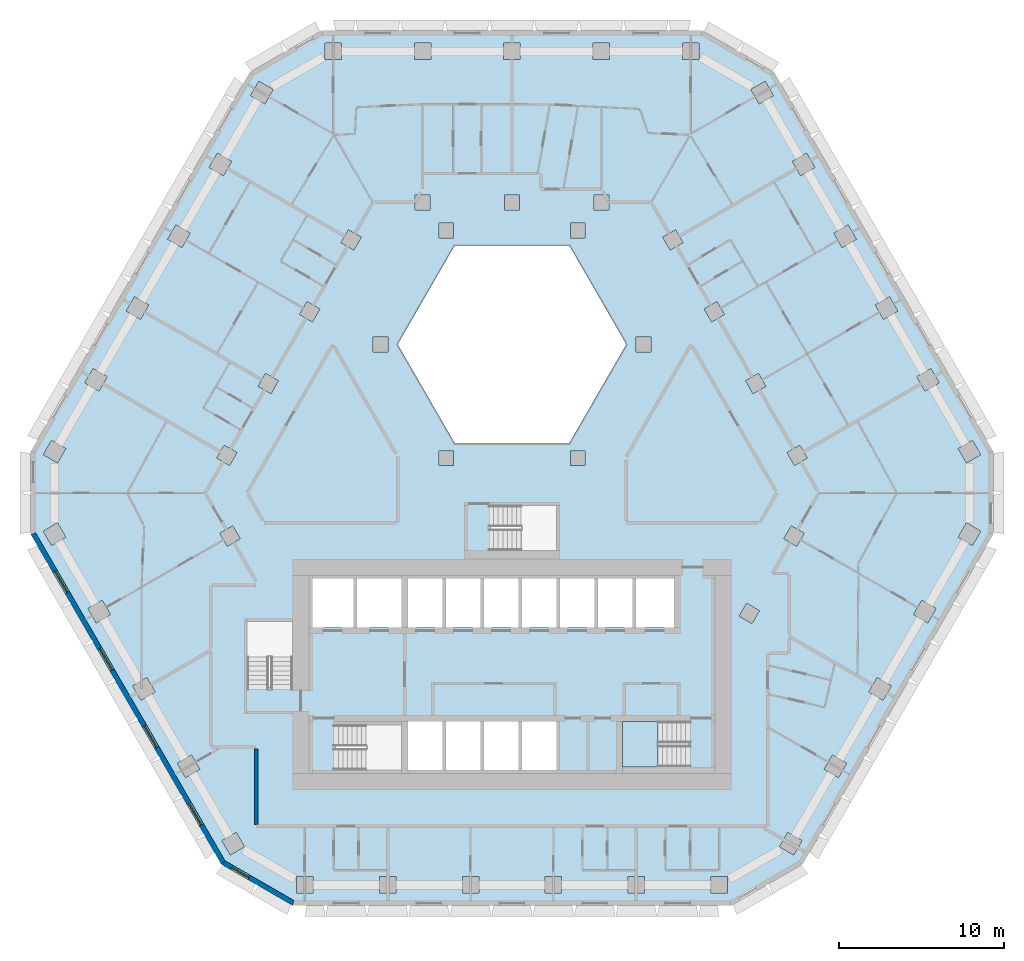
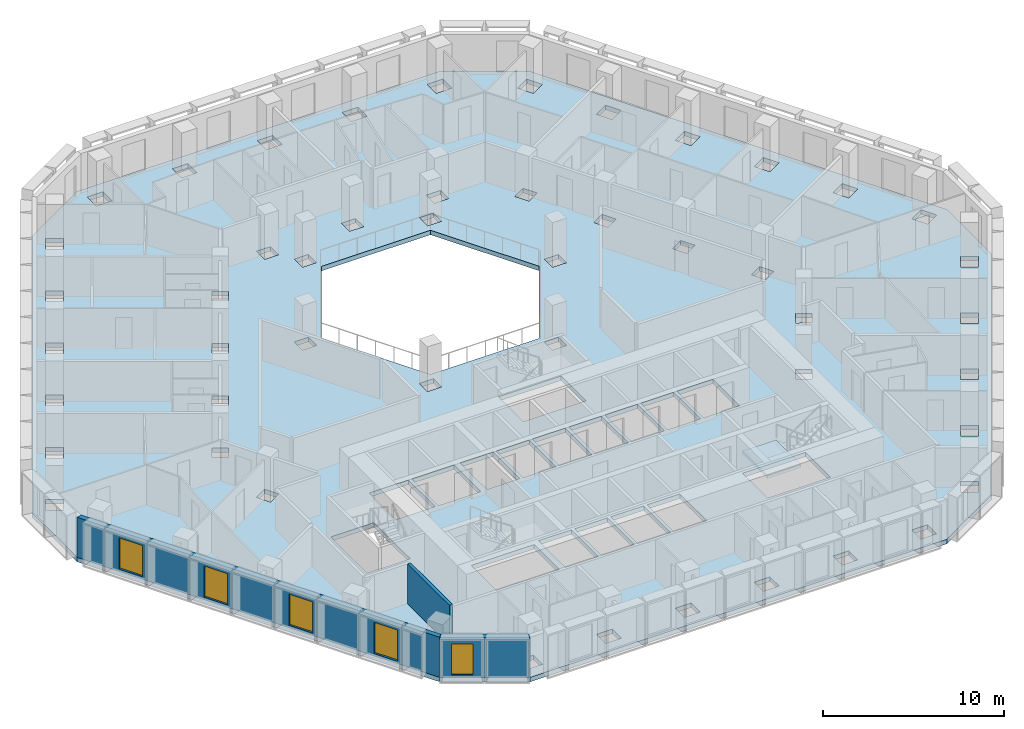
# One storey, part 2 of 15: 5 windows, 3 walls, 2 slabs, 5 openings, 1 element without a shape of its own.
"""IFC4 building model written with IfcOpenShell, lengths in metres."""

from ifc_helpers import new_model, si_unit, direction, frame, frame_2d, origin, place, context, subcontext, project, spatial, polyline, rectangle, outline, extrude, material, layer, layer_set, type_object, element, fill, aggregate, save


model = new_model("IFC4")

# Units and contexts
model_context = context("Model", 3, precision=1e-05, world=origin(), true_north=direction((0.0, 1.0)))
body_context = subcontext(model_context, "Body", "Model", "MODEL_VIEW")
ifc_project = project(units=[si_unit("LENGTHUNIT", "METRE"), si_unit("AREAUNIT", "SQUARE_METRE"), si_unit("VOLUMEUNIT", "CUBIC_METRE"), si_unit("PLANEANGLEUNIT", "RADIAN"), si_unit("MASSUNIT", "GRAM", prefix="KILO")], contexts=[model_context])

# Site, building, storey
site_placement = place(None, origin())
site = spatial("IfcSite", under=ifc_project, at=site_placement, CompositionType="ELEMENT")
building_placement = place(site_placement, origin())
building = spatial("IfcBuilding", under=site, at=building_placement, Name="Beryl Residences", CompositionType="ELEMENT")
storey_placement = place(building_placement, frame((0.0, 0.0, 84.0)))
storey = spatial("IfcBuildingStorey", under=building, at=storey_placement, Name="L25", CompositionType="ELEMENT", Elevation=84.0)

# Slab
ifc_material_1 = material(Name="Concrete C40/50", Category="concrete")
ifc_layer_1 = layer(ifc_material_1, 0.300048828125)
ifc_layer_set_1 = layer_set([ifc_layer_1], Name="SL7 PT floor slab 300 mm C40/50")
slab_type_1 = type_object("IfcSlabType", Name="SL7 PT floor slab 300 mm C40/50", PredefinedType="FLOOR", material=ifc_layer_set_1)
slab_1_placement = place(storey_placement, frame((0.0, 0.0, -0.300048828125)))
element("IfcSlab", 1, at=slab_1_placement, inside=storey, type_object=slab_type_1, Name="L25 slab 1", PredefinedType="FLOOR", context=body_context, shape_type="SweptSolid", body=[
    extrude(outline(polyline([(29.156982421875, -3.5), (17.60888671875, -23.5), (13.279052734375, -26.0), (-13.279052734375, -26.0), (-17.60888671875, -23.5), (-29.156982421875, -3.5), (-29.156982421875, 1.5), (-15.876953125, 24.5), (-11.547119140625, 27.0), (11.547119140625, 27.0), (15.876953125, 24.5), (29.156982421875, 1.5), (29.156982421875, -3.5)]), holes=[polyline([(28.39697265625, 1.31591796875), (27.89697265625, 2.181884765625), (27.031005859375, 1.681884765625), (27.531005859375, 0.81591796875), (28.39697265625, 1.31591796875)]), polyline([(28.39697265625, -3.31591796875), (27.531005859375, -2.81591796875), (27.031005859375, -3.681884765625), (27.89697265625, -4.181884765625), (28.39697265625, -3.31591796875)]), polyline([(25.385009765625, 6.532958984375), (24.51904296875, 6.032958984375), (25.01904296875, 5.1669921875), (25.885009765625, 5.6669921875), (25.385009765625, 6.532958984375)]), polyline([(25.68994140625, -8.00390625), (24.823974609375, -7.50390625), (24.323974609375, -8.3701171875), (25.18994140625, -8.8701171875), (25.68994140625, -8.00390625)]), polyline([(22.873046875, 10.883056640625), (22.007080078125, 10.383056640625), (22.507080078125, 9.51708984375), (23.373046875, 10.01708984375), (22.873046875, 10.883056640625)]), polyline([(22.116943359375, -12.19189453125), (21.616943359375, -13.05810546875), (22.48291015625, -13.55810546875), (22.98291015625, -12.69189453125), (22.116943359375, -12.19189453125)]), polyline([(20.362060546875, 15.23291015625), (19.49609375, 14.73291015625), (19.99609375, 13.866943359375), (20.862060546875, 14.366943359375), (20.362060546875, 15.23291015625)]), polyline([(19.777099609375, -18.24609375), (20.277099609375, -17.3798828125), (19.410888671875, -16.8798828125), (18.910888671875, -17.74609375), (19.777099609375, -18.24609375)]), polyline([(17.85009765625, 19.5830078125), (16.98388671875, 19.0830078125), (17.48388671875, 18.217041015625), (18.35009765625, 18.717041015625), (17.85009765625, 19.5830078125)]), polyline([(17.443115234375, 1.888916015625), (16.6630859375, 1.43896484375), (17.113037109375, 0.658935546875), (17.89306640625, 1.10888671875), (17.443115234375, 1.888916015625)]), polyline([(17.697998046875, -3.447021484375), (16.91796875, -2.9970703125), (16.468017578125, -3.777099609375), (17.248046875, -4.22705078125), (17.697998046875, -3.447021484375)]), polyline([(17.570068359375, -22.068115234375), (16.7041015625, -21.568115234375), (16.2041015625, -22.43408203125), (17.070068359375, -22.93408203125), (17.570068359375, -22.068115234375)]), polyline([(15.839111328125, 23.06689453125), (15.339111328125, 23.93310546875), (14.472900390625, 23.43310546875), (14.972900390625, 22.56689453125), (15.839111328125, 23.06689453125)]), polyline([(14.930908203125, 6.239990234375), (14.15087890625, 5.7900390625), (14.60107421875, 5.010009765625), (15.381103515625, 5.4599609375), (14.930908203125, 6.239990234375)]), polyline([(14.990966796875, -8.135009765625), (14.2109375, -7.68505859375), (13.760986328125, -8.465087890625), (14.541015625, -8.9150390625), (14.990966796875, -8.135009765625)]), polyline([(13.05810546875, -25.25), (13.05810546875, -24.25), (12.05810546875, -24.25), (12.05810546875, -25.25), (13.05810546875, -25.25)]), polyline([(12.419921875, 10.590087890625), (11.639892578125, 10.139892578125), (12.090087890625, 9.360107421875), (12.8701171875, 9.81005859375), (12.419921875, 10.590087890625)]), polyline([(11.324951171875, 26.25), (10.324951171875, 26.25), (10.324951171875, 25.25), (11.324951171875, 25.25), (11.324951171875, 26.25)]), polyline([(10.699951171875, -14.85009765625), (6.699951171875, -14.85009765625), (6.699951171875, -17.60009765625), (10.699951171875, -17.60009765625), (10.699951171875, -14.85009765625)]), polyline([(9.1279296875, 14.489990234375), (9.577880859375, 13.7099609375), (10.35791015625, 14.159912109375), (9.907958984375, 14.93994140625), (9.1279296875, 14.489990234375)]), polyline([(9.800048828125, -6.199951171875), (7.5, -6.199951171875), (7.5, -9.14990234375), (9.800048828125, -9.14990234375), (9.800048828125, -6.199951171875)]), polyline([(8.4169921875, 7.550048828125), (8.4169921875, 8.449951171875), (7.51708984375, 8.449951171875), (7.51708984375, 7.550048828125), (8.4169921875, 7.550048828125)]), polyline([(8.034912109375, -25.25), (8.034912109375, -24.25), (7.034912109375, -24.25), (7.034912109375, -25.25), (8.034912109375, -25.25)]), polyline([(5.199951171875, -6.199951171875), (5.199951171875, -9.14990234375), (7.300048828125, -9.14990234375), (7.300048828125, -6.199951171875), (5.199951171875, -6.199951171875)]), polyline([(3.464111328125, 14.0), (-3.464111328125, 14.0), (-6.92822265625, 8.0), (-3.464111328125, 2.0), (3.464111328125, 2.0), (6.92822265625, 8.0), (3.464111328125, 14.0)]), polyline([(4.912109375, 26.25), (4.912109375, 25.25), (5.912109375, 25.25), (5.912109375, 26.25), (4.912109375, 26.25)]), polyline([(4.9619140625, 17.050048828125), (4.9619140625, 16.14990234375), (5.862060546875, 16.14990234375), (5.862060546875, 17.050048828125), (4.9619140625, 17.050048828125)]), polyline([(2.89990234375, -9.14990234375), (5.0, -9.14990234375), (5.0, -6.199951171875), (2.89990234375, -6.199951171875), (2.89990234375, -9.14990234375)]), polyline([(4.43408203125, 14.449951171875), (4.43408203125, 15.35009765625), (3.533935546875, 15.35009765625), (3.533935546875, 14.449951171875), (4.43408203125, 14.449951171875)]), polyline([(4.43408203125, 0.64990234375), (4.43408203125, 1.550048828125), (3.533935546875, 1.550048828125), (3.533935546875, 0.64990234375), (4.43408203125, 0.64990234375)]), polyline([(2.011962890625, -25.25), (3.011962890625, -25.25), (3.011962890625, -24.25), (2.011962890625, -24.25), (2.011962890625, -25.25)]), polyline([(0.60009765625, -6.199951171875), (0.60009765625, -9.14990234375), (2.699951171875, -9.14990234375), (2.699951171875, -6.199951171875), (0.60009765625, -6.199951171875)]), polyline([(0.60009765625, -17.800048828125), (2.699951171875, -17.800048828125), (2.699951171875, -14.85009765625), (0.60009765625, -14.85009765625), (0.60009765625, -17.800048828125)]), polyline([(-1.300048828125, -1.75), (-1.300048828125, -4.5), (2.699951171875, -4.5), (2.699951171875, -1.75), (-1.300048828125, -1.75)]), polyline([(-0.5009765625, 25.25), (0.4990234375, 25.25), (0.4990234375, 26.25), (-0.5009765625, 26.25), (-0.5009765625, 25.25)]), polyline([(-0.450927734375, 17.050048828125), (-0.450927734375, 16.14990234375), (0.448974609375, 16.14990234375), (0.448974609375, 17.050048828125), (-0.450927734375, 17.050048828125)]), polyline([(-1.699951171875, -9.14990234375), (0.39990234375, -9.14990234375), (0.39990234375, -6.199951171875), (-1.699951171875, -6.199951171875), (-1.699951171875, -9.14990234375)]), polyline([(-1.699951171875, -17.800048828125), (0.39990234375, -17.800048828125), (0.39990234375, -14.85009765625), (-1.699951171875, -14.85009765625), (-1.699951171875, -17.800048828125)]), polyline([(-4.0, -9.14990234375), (-1.89990234375, -9.14990234375), (-1.89990234375, -6.199951171875), (-4.0, -6.199951171875), (-4.0, -9.14990234375)]), polyline([(-4.0, -17.800048828125), (-1.89990234375, -17.800048828125), (-1.89990234375, -14.85009765625), (-4.0, -14.85009765625), (-4.0, -17.800048828125)]), polyline([(-2.010986328125, -25.25), (-2.010986328125, -24.25), (-3.010986328125, -24.25), (-3.010986328125, -25.25), (-2.010986328125, -25.25)]), polyline([(-3.533935546875, 14.449951171875), (-3.533935546875, 15.35009765625), (-4.43408203125, 15.35009765625), (-4.43408203125, 14.449951171875), (-3.533935546875, 14.449951171875)]), polyline([(-3.533935546875, 0.64990234375), (-3.533935546875, 1.550048828125), (-4.43408203125, 1.550048828125), (-4.43408203125, 0.64990234375), (-3.533935546875, 0.64990234375)]), polyline([(-6.300048828125, -17.800048828125), (-4.199951171875, -17.800048828125), (-4.199951171875, -14.85009765625), (-6.300048828125, -14.85009765625), (-6.300048828125, -17.800048828125)]), polyline([(-6.300048828125, -9.14990234375), (-4.199951171875, -9.14990234375), (-4.199951171875, -6.199951171875), (-6.300048828125, -6.199951171875), (-6.300048828125, -9.14990234375)]), polyline([(-5.9140625, 26.25), (-5.9140625, 25.25), (-4.9140625, 25.25), (-4.9140625, 26.25), (-5.9140625, 26.25)]), polyline([(-5.864013671875, 16.14990234375), (-4.964111328125, 16.14990234375), (-4.964111328125, 17.050048828125), (-5.864013671875, 17.050048828125), (-5.864013671875, 16.14990234375)]), polyline([(-6.699951171875, -17.800048828125), (-6.699951171875, -15.050048828125), (-10.699951171875, -15.050048828125), (-10.699951171875, -17.800048828125), (-6.699951171875, -17.800048828125)]), polyline([(-9.39990234375, -9.14990234375), (-6.699951171875, -9.14990234375), (-6.699951171875, -6.199951171875), (-9.39990234375, -6.199951171875), (-9.39990234375, -9.14990234375)]), polyline([(-7.033935546875, -25.25), (-7.033935546875, -24.25), (-8.033935546875, -24.25), (-8.033935546875, -25.25), (-7.033935546875, -25.25)]), polyline([(-8.4169921875, 7.550048828125), (-7.51708984375, 7.550048828125), (-7.51708984375, 8.449951171875), (-8.4169921875, 8.449951171875), (-8.4169921875, 7.550048828125)]), polyline([(-9.577880859375, 13.7099609375), (-9.1279296875, 14.489990234375), (-9.907958984375, 14.93994140625), (-10.35791015625, 14.159912109375), (-9.577880859375, 13.7099609375)]), polyline([(-12.10009765625, -9.14990234375), (-9.60009765625, -9.14990234375), (-9.60009765625, -6.199951171875), (-12.10009765625, -6.199951171875), (-12.10009765625, -9.14990234375)]), polyline([(-11.326904296875, 26.25), (-11.326904296875, 25.25), (-10.326904296875, 25.25), (-10.326904296875, 26.25), (-11.326904296875, 26.25)]), polyline([(-12.868896484375, 9.81005859375), (-12.089111328125, 9.360107421875), (-11.638916015625, 10.139892578125), (-12.4189453125, 10.590087890625), (-12.868896484375, 9.81005859375)]), polyline([(-12.056884765625, -24.25), (-13.056884765625, -24.25), (-13.056884765625, -25.25), (-12.056884765625, -25.25), (-12.056884765625, -24.25)]), polyline([(-13.300048828125, -8.800048828125), (-16.050048828125, -8.800048828125), (-16.050048828125, -12.800048828125), (-13.300048828125, -12.800048828125), (-13.300048828125, -8.800048828125)]), polyline([(-15.381103515625, 5.4599609375), (-14.60107421875, 5.010009765625), (-14.15087890625, 5.7900390625), (-14.930908203125, 6.239990234375), (-15.381103515625, 5.4599609375)]), polyline([(-14.971923828125, 22.568115234375), (-14.471923828125, 23.43408203125), (-15.337890625, 23.93408203125), (-15.837890625, 23.068115234375), (-14.971923828125, 22.568115234375)]), polyline([(-17.070068359375, -22.93408203125), (-16.2041015625, -22.43408203125), (-16.7041015625, -21.568115234375), (-17.570068359375, -22.068115234375), (-17.070068359375, -22.93408203125)]), polyline([(-17.248046875, -4.22705078125), (-16.468017578125, -3.777099609375), (-16.91796875, -2.9970703125), (-17.697998046875, -3.447021484375), (-17.248046875, -4.22705078125)]), polyline([(-17.89208984375, 1.110107421875), (-17.112060546875, 0.659912109375), (-16.662109375, 1.43994140625), (-17.44189453125, 1.889892578125), (-17.89208984375, 1.110107421875)]), polyline([(-18.35009765625, 18.717041015625), (-17.48388671875, 18.217041015625), (-16.98388671875, 19.0830078125), (-17.85009765625, 19.5830078125), (-18.35009765625, 18.717041015625)]), polyline([(-19.777099609375, -18.24609375), (-18.910888671875, -17.74609375), (-19.410888671875, -16.8798828125), (-20.277099609375, -17.3798828125), (-19.777099609375, -18.24609375)]), polyline([(-20.861083984375, 14.366943359375), (-19.9951171875, 13.866943359375), (-19.4951171875, 14.73291015625), (-20.361083984375, 15.23291015625), (-20.861083984375, 14.366943359375)]), polyline([(-21.616943359375, -13.05810546875), (-22.116943359375, -12.19189453125), (-22.98291015625, -12.69189453125), (-22.48291015625, -13.55810546875), (-21.616943359375, -13.05810546875)]), polyline([(-23.373046875, 10.01708984375), (-22.507080078125, 9.51708984375), (-22.007080078125, 10.383056640625), (-22.873046875, 10.883056640625), (-23.373046875, 10.01708984375)]), polyline([(-25.18994140625, -8.8701171875), (-24.323974609375, -8.3701171875), (-24.823974609375, -7.50390625), (-25.68994140625, -8.00390625), (-25.18994140625, -8.8701171875)]), polyline([(-25.385009765625, 6.532958984375), (-25.885009765625, 5.6669921875), (-25.01904296875, 5.1669921875), (-24.51904296875, 6.032958984375), (-25.385009765625, 6.532958984375)]), polyline([(-28.39599609375, 1.31689453125), (-27.530029296875, 0.81689453125), (-27.030029296875, 1.68310546875), (-27.89599609375, 2.18310546875), (-28.39599609375, 1.31689453125)]), polyline([(-27.031005859375, -3.681884765625), (-27.531005859375, -2.81591796875), (-28.39697265625, -3.31591796875), (-27.89697265625, -4.181884765625), (-27.031005859375, -3.681884765625)])]), origin(), (0.0, 0.0, 1.0), 0.300048828125),
])

# Stair, slab
ifc_material_2 = material(Name="Concrete C40/50", Category="concrete")
stair_type = type_object("IfcStairType", Name="ST1 protected exit stair, half-turn, 1300 mm flights", PredefinedType="HALF_TURN_STAIR", material=ifc_material_2)
stair_placement = place(storey_placement, origin())
stair = element("IfcStair", 2, at=stair_placement, inside=storey, type_object=stair_type, Name="L25 PROTECTED EXIT STAIR ST-3", PredefinedType="HALF_TURN_STAIR")
ifc_material_3 = material(Name="Concrete C40/50", Category="concrete")
ifc_layer_2 = layer(ifc_material_3, 0.199951171875)
ifc_layer_set_2 = layer_set([ifc_layer_2], Name="SLD1 stair landing 200 mm")
slab_type_2 = type_object("IfcSlabType", Name="SLD1 stair landing 200 mm", PredefinedType="LANDING", material=ifc_layer_set_2)
slab_2_placement = place(storey_placement, frame((0.0, 0.0, 1.300048828125)))
slab_2 = element("IfcSlab", 3, at=slab_2_placement, type_object=slab_type_2, Name="ST-3 landing 1", PredefinedType="LANDING", context=body_context, shape_type="SweptSolid", body=[
    extrude(outline(polyline([(8.840087890625, -14.85009765625), (6.699951171875, -14.85009765625), (6.699951171875, -17.60009765625), (8.840087890625, -17.60009765625), (8.840087890625, -14.85009765625)])), origin(), (0.0, 0.0, 1.0), 0.199951171875),
])
aggregate(stair, [slab_2])

# Wall, openings, windows
ifc_material_4 = material(Name="Composite metal panel with mineral wool insulation")
ifc_layer_3 = layer(ifc_material_4, 0.300048828125)
ifc_layer_set_3 = layer_set([ifc_layer_3], Name="ES1 pale metal composite panel wall 300 mm")
wall_type_1 = type_object("IfcWallType", Name="ES1 pale metal composite panel wall 300 mm", PredefinedType="SOLIDWALL", material=ifc_layer_set_3)
wall_1_placement = place(storey_placement, frame((-29.027099609375, -3.425048828125, 0.0), z_axis=(0.0, 0.0, 1.0), x_axis=(0.500035407905, -0.866004960056, 0.0)))
wall_1 = element("IfcWall", 4, at=wall_1_placement, inside=storey, type_object=wall_type_1, Name="ES1 external wall L25 SW", PredefinedType="SOLIDWALL", context=body_context, shape_type="SweptSolid", body=[
    extrude(outline(polyline([(0.0, -0.14990234375), (23.094482421875, -0.14990234375), (23.01416015625, 0.14990234375), (0.080322265625, 0.14990234375), (0.0, -0.14990234375)])), origin(), (0.0, 0.0, 1.0), 2.699951171875),
])
opening_1_placement = place(wall_1_placement, frame((2.677001953125, 0.0, 0.14990234375)))
opening_1 = element("IfcOpeningElement", 5, at=opening_1_placement, cuts=wall_1, Name="Opening W1", PredefinedType="OPENING", context=body_context, shape_type="SweptSolid", body=[
    extrude(rectangle(XDim=1.5, YDim=2.10009765625, at=frame_2d((0.75, 1.050048828125))), frame((0.0, 0.159912109375, 0.0), z_axis=(0.0, -1.0, 0.0), x_axis=(1.0, 0.0, 0.0)), (0.0, 0.0, 1.0), 0.320068359375),
])
opening_2_placement = place(wall_1_placement, frame((8.091064453125, 0.0, 0.14990234375)))
opening_2 = element("IfcOpeningElement", 6, at=opening_2_placement, cuts=wall_1, Name="Opening W1", PredefinedType="OPENING", context=body_context, shape_type="SweptSolid", body=[
    extrude(rectangle(XDim=1.5, YDim=2.10009765625, at=frame_2d((0.75, 1.050048828125))), frame((0.0, 0.159912109375, 0.0), z_axis=(0.0, -1.0, 0.0), x_axis=(1.0, 0.0, 0.0)), (0.0, 0.0, 1.0), 0.320068359375),
])
opening_3_placement = place(wall_1_placement, frame((13.50390625, 0.0, 0.14990234375)))
opening_3 = element("IfcOpeningElement", 7, at=opening_3_placement, cuts=wall_1, Name="Opening W1", PredefinedType="OPENING", context=body_context, shape_type="SweptSolid", body=[
    extrude(rectangle(XDim=1.5, YDim=2.10009765625, at=frame_2d((0.75, 1.050048828125))), frame((0.0, 0.159912109375, 0.0), z_axis=(0.0, -1.0, 0.0), x_axis=(1.0, 0.0, 0.0)), (0.0, 0.0, 1.0), 0.320068359375),
])
opening_4_placement = place(wall_1_placement, frame((18.9169921875, 0.0, 0.14990234375)))
opening_4 = element("IfcOpeningElement", 8, at=opening_4_placement, cuts=wall_1, Name="Opening W1", PredefinedType="OPENING", context=body_context, shape_type="SweptSolid", body=[
    extrude(rectangle(XDim=1.5, YDim=2.10009765625, at=frame_2d((0.75, 1.050048828125))), frame((0.0, 0.159912109375, 0.0), z_axis=(0.0, -1.0, 0.0), x_axis=(1.0, 0.0, 0.0)), (0.0, 0.0, 1.0), 0.320068359375),
])
ifc_material_5 = material(Name="Aluminium and clear glass", Category="aluminium")
window_type_1 = type_object("IfcWindowType", Name="W1 cell window 1500 x 2100 mm", PartitioningType="SINGLE_PANEL", PredefinedType="WINDOW", material=ifc_material_5)
window_1_placement = place(opening_1_placement, origin())
window_1 = element("IfcWindow", 9, at=window_1_placement, inside=storey, type_object=window_type_1, Name="W1 window L25 SW 2", OverallHeight=2.10009765625, OverallWidth=1.5, PartitioningType="SINGLE_PANEL", PredefinedType="WINDOW", context=body_context, shape_type="SweptSolid", body=[
    extrude(rectangle(XDim=1.5, YDim=2.10009765625, at=frame_2d((0.75, 1.050048828125))), frame((0.0, 0.030029296875, 0.0), z_axis=(0.0, -1.0, 0.0), x_axis=(1.0, 0.0, 0.0)), (0.0, 0.0, 1.0), 0.06005859375),
])
fill(opening_1, window_1)
window_2_placement = place(opening_2_placement, origin())
window_2 = element("IfcWindow", 10, at=window_2_placement, inside=storey, type_object=window_type_1, Name="W1 window L25 SW 4", OverallHeight=2.10009765625, OverallWidth=1.5, PartitioningType="SINGLE_PANEL", PredefinedType="WINDOW", context=body_context, shape_type="SweptSolid", body=[
    extrude(rectangle(XDim=1.5, YDim=2.10009765625, at=frame_2d((0.75, 1.050048828125))), frame((0.0, 0.030029296875, 0.0), z_axis=(0.0, -1.0, 0.0), x_axis=(1.0, 0.0, 0.0)), (0.0, 0.0, 1.0), 0.06005859375),
])
fill(opening_2, window_2)
window_3_placement = place(opening_3_placement, origin())
window_3 = element("IfcWindow", 11, at=window_3_placement, inside=storey, type_object=window_type_1, Name="W1 window L25 SW 6", OverallHeight=2.10009765625, OverallWidth=1.5, PartitioningType="SINGLE_PANEL", PredefinedType="WINDOW", context=body_context, shape_type="SweptSolid", body=[
    extrude(rectangle(XDim=1.5, YDim=2.10009765625, at=frame_2d((0.75, 1.050048828125))), frame((0.0, 0.030029296875, 0.0), z_axis=(0.0, -1.0, 0.0), x_axis=(1.0, 0.0, 0.0)), (0.0, 0.0, 1.0), 0.06005859375),
])
fill(opening_3, window_3)
window_4_placement = place(opening_4_placement, origin())
window_4 = element("IfcWindow", 12, at=window_4_placement, inside=storey, type_object=window_type_1, Name="W1 window L25 SW 8", OverallHeight=2.10009765625, OverallWidth=1.5, PartitioningType="SINGLE_PANEL", PredefinedType="WINDOW", context=body_context, shape_type="SweptSolid", body=[
    extrude(rectangle(XDim=1.5, YDim=2.10009765625, at=frame_2d((0.75, 1.050048828125))), frame((0.0, 0.030029296875, 0.0), z_axis=(0.0, -1.0, 0.0), x_axis=(1.0, 0.0, 0.0)), (0.0, 0.0, 1.0), 0.06005859375),
])
fill(opening_4, window_4)

# Wall, opening, window
wall_2_placement = place(storey_placement, frame((-17.533935546875, -23.3701171875, 0.0), z_axis=(0.0, 0.0, 1.0), x_axis=(0.866010750942, -0.50002537861, 0.0)))
wall_2 = element("IfcWall", 13, at=wall_2_placement, inside=storey, type_object=wall_type_1, Name="ES1 external wall L25 SW-S", PredefinedType="SOLIDWALL", context=body_context, shape_type="SweptSolid", body=[
    extrude(outline(polyline([(0.0, -0.14990234375), (4.999755859375, -0.14990234375), (4.91943359375, 0.14990234375), (0.080322265625, 0.14990234375), (0.0, -0.14990234375)])), origin(), (0.0, 0.0, 1.0), 2.699951171875),
])
opening_5_placement = place(wall_2_placement, frame((0.64990234375, 0.0, 0.14990234375)))
opening_5 = element("IfcOpeningElement", 14, at=opening_5_placement, cuts=wall_2, Name="Opening W2", PredefinedType="OPENING", context=body_context, shape_type="SweptSolid", body=[
    extrude(rectangle(XDim=1.199951171875, YDim=2.10009765625, at=frame_2d((0.60009765625, 1.050048828125))), frame((0.0, 0.159912109375, 0.0), z_axis=(0.0, -1.0, 0.0), x_axis=(1.0, 0.0, 0.0)), (0.0, 0.0, 1.0), 0.320068359375),
])
ifc_material_6 = material(Name="Aluminium and clear glass", Category="aluminium")
window_type_2 = type_object("IfcWindowType", Name="W2 chamfer window 1200 x 2100 mm", PartitioningType="SINGLE_PANEL", PredefinedType="WINDOW", material=ifc_material_6)
window_5_placement = place(opening_5_placement, origin())
window_5 = element("IfcWindow", 15, at=window_5_placement, inside=storey, type_object=window_type_2, Name="W2 window L25 SW-S 1", OverallHeight=2.10009765625, OverallWidth=1.199951171875, PartitioningType="SINGLE_PANEL", PredefinedType="WINDOW", context=body_context, shape_type="SweptSolid", body=[
    extrude(rectangle(XDim=1.199951171875, YDim=2.10009765625, at=frame_2d((0.60009765625, 1.050048828125))), frame((0.0, 0.030029296875, 0.0), z_axis=(0.0, -1.0, 0.0), x_axis=(1.0, 0.0, 0.0)), (0.0, 0.0, 1.0), 0.06005859375),
])
fill(opening_5, window_5)

# Wall
ifc_material_7 = material(Name="Double stud gypsum board wall")
ifc_layer_4 = layer(ifc_material_7, 0.199951171875)
ifc_layer_set_4 = layer_set([ifc_layer_4], Name="PT4 corridor wall 200 mm double stud")
wall_type_2 = type_object("IfcWallType", Name="PT4 corridor wall 200 mm double stud", PredefinedType="PARTITIONING", material=ifc_layer_set_4)
wall_3_placement = place(storey_placement, frame((-15.5, -16.5009765625, 0.0), z_axis=(0.0, 0.0, 1.0), x_axis=(0.0, -1.0, 0.0)))
element("IfcWall", 16, at=wall_3_placement, inside=storey, type_object=wall_type_2, Name="Wall PT4 L25 007", PredefinedType="PARTITIONING", context=body_context, shape_type="SweptSolid", body=[
    extrude(rectangle(XDim=4.59814453125, YDim=0.199951171875, at=frame_2d((2.299072265625, 0.0))), origin(), (0.0, 0.0, 1.0), 2.699951171875),
])

save(model, "model.ifc")
